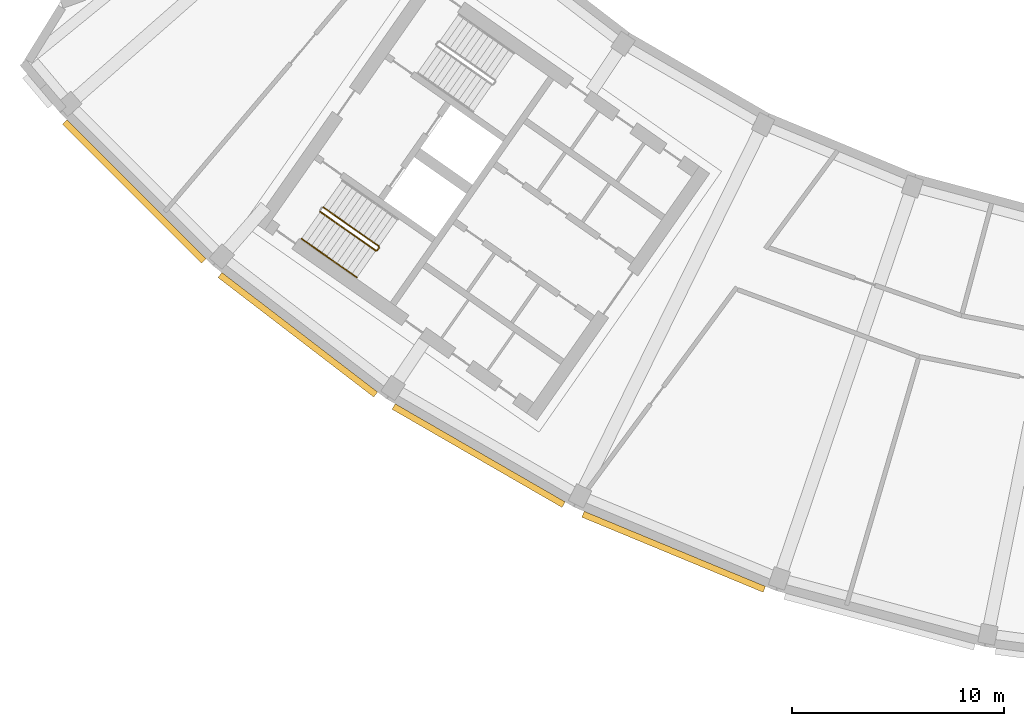
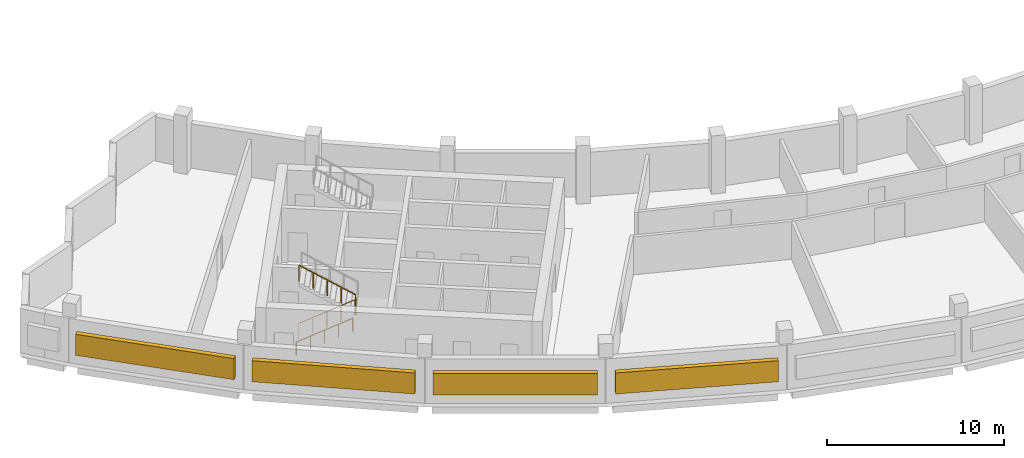
# One storey, part 8 of 11: 4 shading devices, 3 railings.
"""IFC4 building model written with IfcOpenShell, lengths in metres."""

from ifc_helpers import new_model, si_unit, direction, frame, origin, origin_2d, place, context, subcontext, project, spatial, rectangle, circle, extrude, material, type_object, element, save


model = new_model("IFC4")

# Units and contexts
model_context = context("Model", 3, precision=1e-05, world=origin(), true_north=direction((0.0, 1.0)))
body_context = subcontext(model_context, "Body", "Model", "MODEL_VIEW")
ifc_project = project(units=[si_unit("LENGTHUNIT", "METRE"), si_unit("AREAUNIT", "SQUARE_METRE"), si_unit("VOLUMEUNIT", "CUBIC_METRE"), si_unit("PLANEANGLEUNIT", "RADIAN"), si_unit("MASSUNIT", "GRAM", prefix="KILO")], contexts=[model_context])

# Site, building, storey
site_placement = place(None, origin())
site = spatial("IfcSite", under=ifc_project, at=site_placement, CompositionType="ELEMENT")
building_placement = place(site_placement, origin())
building = spatial("IfcBuilding", under=site, at=building_placement, Name="Qamariyya Broadcast Tower", CompositionType="ELEMENT")
storey_placement = place(building_placement, frame((0.0, 0.0, 294.699951171875)))
storey = spatial("IfcBuildingStorey", under=building, at=storey_placement, Name="L71", CompositionType="ELEMENT", Elevation=294.699951171875)

# Railings
ifc_material_1 = material(Name="Painted steel", Category="steel")
railing_type_1 = type_object("IfcRailingType", Name="Stair guard", PredefinedType="GUARDRAIL", material=ifc_material_1)
railing_1_placement = place(storey_placement, frame((-46.624267578125, -56.34765625, 0.166748046875)))
element("IfcRailing", 1, at=railing_1_placement, inside=storey, type_object=railing_type_1, Name="L71 ST-W1 stair guard 1", PredefinedType="GUARDRAIL", context=body_context, shape_type="SweptSolid", body=[
    extrude(circle(Radius=0.02392578125, at=origin_2d()), frame((0.0, 0.0, 1.076171875), z_axis=(0.710204256923, -0.497335411159, 0.498264389913), x_axis=(0.573611290809, 0.819127637829, 0.0)), (0.0, 0.0, 1.0), 3.67919921875),
    extrude(circle(Radius=0.02392578125, at=origin_2d()), frame((2.613037109375, -1.829833984375, 2.9091796875), z_axis=(0.984957024646, 0.172799478008, 0.0), x_axis=(-0.172799478008, 0.984957024646, 0.0)), (0.0, 0.0, 1.0), 0.070556640625),
    extrude(circle(Radius=0.02392578125, at=origin_2d()), frame((2.6826171875, -1.817626953125, 2.9091796875), z_axis=(0.57368046593, 0.819079192149, 0.0), x_axis=(-0.819079192149, 0.57368046593, 0.0)), (0.0, 0.0, 1.0), 0.150146484375),
    extrude(circle(Radius=0.02099609375, at=origin_2d()), origin(), (0.0, 0.0, 1.0), 1.052001953125),
    extrude(circle(Radius=0.02099609375, at=origin_2d()), frame((0.6533203125, -0.45751953125, 0.458251953125)), (0.0, 0.0, 1.0), 1.052001953125),
    extrude(circle(Radius=0.02099609375, at=origin_2d()), frame((1.306640625, -0.9150390625, 0.91650390625)), (0.0, 0.0, 1.0), 1.052001953125),
    extrude(circle(Radius=0.02099609375, at=origin_2d()), frame((1.959716796875, -1.372314453125, 1.375)), (0.0, 0.0, 1.0), 1.052001953125),
    extrude(circle(Radius=0.02099609375, at=origin_2d()), frame((2.613037109375, -1.829833984375, 1.833251953125)), (0.0, 0.0, 1.0), 1.052001953125),
    extrude(circle(Radius=0.02099609375, at=origin_2d()), frame((2.6826171875, -1.817626953125, 1.833251953125)), (0.0, 0.0, 1.0), 1.052001953125),
    extrude(circle(Radius=0.02099609375, at=origin_2d()), frame((2.768798828125, -1.694580078125, 1.833251953125)), (0.0, 0.0, 1.0), 1.052001953125),
])
railing_2_placement = place(storey_placement, frame((-43.867919921875, -57.97265625, 2.166748046875)))
element("IfcRailing", 2, at=railing_2_placement, inside=storey, type_object=railing_type_1, Name="L71 ST-W1 stair guard 2", PredefinedType="GUARDRAIL", context=body_context, shape_type="SweptSolid", body=[
    extrude(circle(Radius=0.02392578125, at=origin_2d()), frame((0.0, 0.0, 1.076171875), z_axis=(-0.710227693972, 0.497285465629, 0.498280832854), x_axis=(-0.573559936391, -0.819163597438, 0.0)), (0.0, 0.0, 1.0), 3.67919921875),
    extrude(circle(Radius=0.02099609375, at=origin_2d()), origin(), (0.0, 0.0, 1.0), 1.052001953125),
    extrude(circle(Radius=0.02099609375, at=origin_2d()), frame((-0.6533203125, 0.45751953125, 0.458251953125)), (0.0, 0.0, 1.0), 1.052001953125),
    extrude(circle(Radius=0.02099609375, at=origin_2d()), frame((-1.306640625, 0.914794921875, 0.91650390625)), (0.0, 0.0, 1.0), 1.052001953125),
    extrude(circle(Radius=0.02099609375, at=origin_2d()), frame((-1.959716796875, 1.3720703125, 1.375)), (0.0, 0.0, 1.0), 1.052001953125),
    extrude(circle(Radius=0.02099609375, at=origin_2d()), frame((-2.613037109375, 1.82958984375, 1.833251953125)), (0.0, 0.0, 1.0), 1.052001953125),
])
ifc_material_2 = material(Name="Stainless steel", Category="steel")
railing_type_2 = type_object("IfcRailingType", Name="Stair handrail", PredefinedType="HANDRAIL", material=ifc_material_2)
railing_3_placement = place(storey_placement, frame((-47.513427734375, -57.617431640625, 0.166748046875)))
element("IfcRailing", 3, at=railing_3_placement, inside=storey, type_object=railing_type_2, Name="L71 ST-W1 stair handrail 1", PredefinedType="HANDRAIL", context=body_context, shape_type="SweptSolid", body=[
    extrude(circle(Radius=0.02392578125, at=origin_2d()), frame((0.0, 0.0, 0.8759765625), z_axis=(0.710204256923, -0.497335411159, 0.498264389913), x_axis=(0.573611290809, 0.819127637829, 0.0)), (0.0, 0.0, 1.0), 3.67919921875),
    extrude(circle(Radius=0.02099609375, at=origin_2d()), origin(), (0.0, 0.0, 1.0), 0.851806640625),
    extrude(circle(Radius=0.02099609375, at=origin_2d()), frame((0.6533203125, -0.45751953125, 0.458251953125)), (0.0, 0.0, 1.0), 0.851806640625),
    extrude(circle(Radius=0.02099609375, at=origin_2d()), frame((1.306640625, -0.9150390625, 0.91650390625)), (0.0, 0.0, 1.0), 0.851806640625),
    extrude(circle(Radius=0.02099609375, at=origin_2d()), frame((1.959716796875, -1.372314453125, 1.375)), (0.0, 0.0, 1.0), 0.851806640625),
    extrude(circle(Radius=0.02099609375, at=origin_2d()), frame((2.613037109375, -1.829833984375, 1.833251953125)), (0.0, 0.0, 1.0), 0.851806640625),
])

# Shading devices
ifc_material_3 = material(Name="Glazed terracotta", Category="masonry")
shading_device_type = type_object("IfcShadingDeviceType", Name="Terracotta louvre bank", PredefinedType="USERDEFINED", material=ifc_material_3)
for number, where, z_axis, x_axis, name in (
    (4, (-55.38916015625, -55.38916015625, 0.80029296875), (0.0, 0.0, 1.0), (0.707106781187, -0.707106781187, 0.0), "e-lv-L71-01"),
    (5, (-47.685546875, -62.145263671875, 0.80029296875), (0.0, 0.0, 1.0), (0.793353340291, -0.608761429009, 0.0), "e-lv-L71-02"),
    (6, (-39.166015625, -67.837646484375, 0.80029296875), (0.0, 0.0, 1.0), (0.866025403784, -0.5, 0.0), "e-lv-L71-03"),
    (7, (-29.9765625, -72.36962890625, 0.80029296875), (0.0, 0.0, 1.0), (0.923879532511, -0.382683432365, 0.0), "e-lv-L71-04"),
):
    element("IfcShadingDevice", number, at=place(storey_placement, frame(where, z_axis=z_axis, x_axis=x_axis)), inside=storey, type_object=shading_device_type, Name=name, ObjectType="LOUVRE", PredefinedType="USERDEFINED", context=body_context, shape_type="SweptSolid", body=[
        extrude(rectangle(XDim=9.248779296875, YDim=0.300048828125, at=origin_2d()), origin(), (0.0, 0.0, 1.0), 1.449951171875),
    ])

save(model, "model.ifc")
